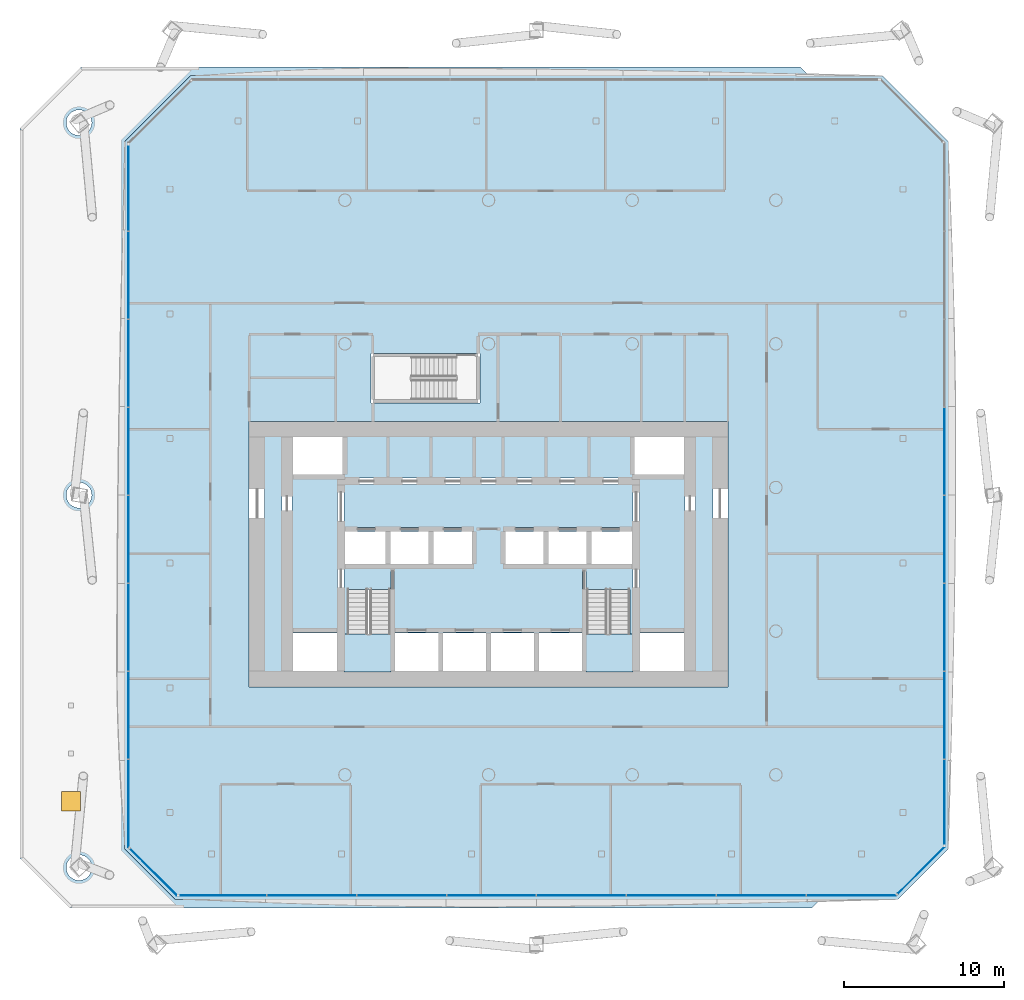
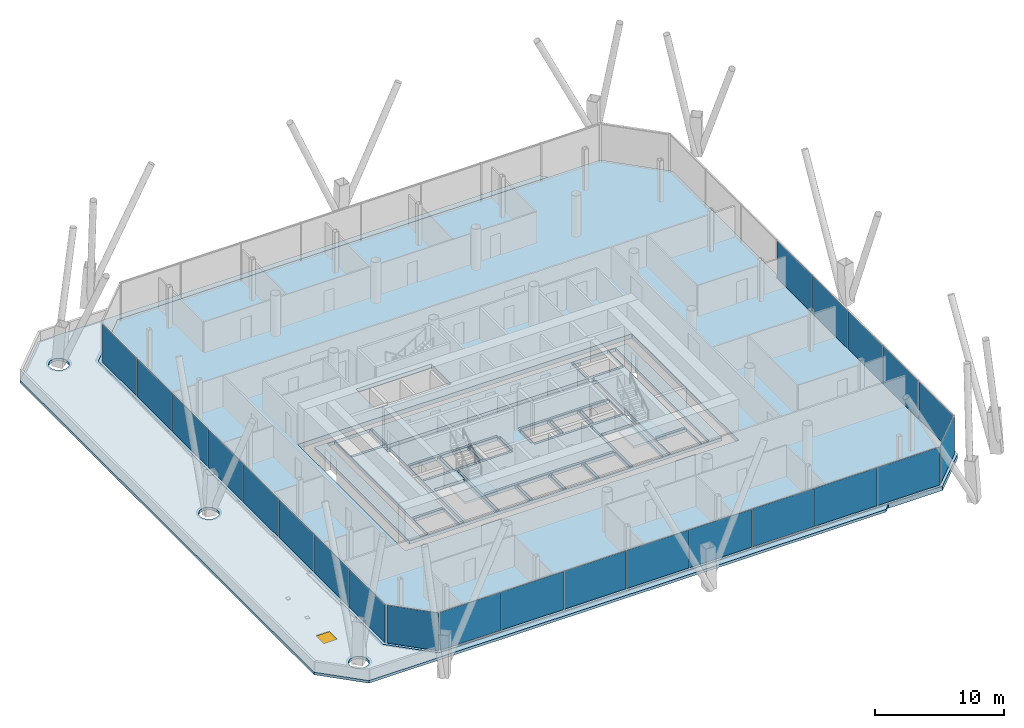
# One storey, part 12 of 23: 23 plates, 5 slabs, 1 window, 1 opening, 7 elements without a shape of their own.
"""IFC4 building model written with IfcOpenShell, lengths in metres."""

import ifcopenshell
import ifcopenshell.guid

model = None  # the IFC model being written
_history = None  # IfcOwnerHistory: only IFC2X3 demands one
_inside = {}  # id of a spatial element -> (the spatial element, [elements in it])
_under = {}  # id of a project, library or spatial element -> (it, [spatial elements below it])
_declared = {}  # id of a project -> (the project, [libraries it declares])
_typed = {}  # id of a type object -> (the type object, [elements of that type])
_made_of = {}  # id of a material, layer set ... -> (it, [elements and type objects made of it])


def new_model(schema):
    """Start an empty IFC model of exactly this schema.

    Asked for "IFC4X3", IfcOpenShell would pick the latest addendum, in which some entities
    have other attributes; the version numbers below select the first issue.
    IFC2X3 requires an IfcOwnerHistory on every rooted entity: one is made here for all.
    """
    global model, _history
    if schema == "IFC4X3":
        model = ifcopenshell.file(schema_version=(4, 3, 0, 0))
    else:
        model = ifcopenshell.file(schema=schema)
    _inside.clear()
    _under.clear()
    _declared.clear()
    _typed.clear()
    _made_of.clear()
    _history = None
    if model.schema == "IFC2X3":
        org = make("IfcOrganization", Name="unknown")
        user = make(
            "IfcPersonAndOrganization",
            ThePerson=make("IfcPerson", FamilyName="unknown"),
            TheOrganization=org,
        )
        app = make(
            "IfcApplication",
            ApplicationDeveloper=org,
            Version="unknown",
            ApplicationFullName="unknown",
            ApplicationIdentifier="unknown",
        )
        _history = make(
            "IfcOwnerHistory",
            OwningUser=user,
            OwningApplication=app,
            ChangeAction="ADDED",
            CreationDate=0,
        )
    return model


def make(cls, **values):
    """One entity of the class cls with the attributes given. An attribute that is None is left unset."""
    return model.create_entity(
        cls, **{name: value for name, value in values.items() if value is not None}
    )


def rooted(cls, **values):
    """An entity with a GlobalId (a new one), such as an element, a storey or a relation."""
    return make(cls, GlobalId=ifcopenshell.guid.new(), OwnerHistory=_history, **values)


def si_unit(unit_type, name, prefix=None):
    """IfcSIUnit, for example si_unit("LENGTHUNIT", "METRE", prefix="MILLI")."""
    return make("IfcSIUnit", UnitType=unit_type, Prefix=prefix, Name=name)


def assignment(units):
    """IfcUnitAssignment: the units of a project."""
    return None if units is None else make("IfcUnitAssignment", Units=units)


def point(xyz):
    """IfcCartesianPoint."""
    return None if xyz is None else make("IfcCartesianPoint", Coordinates=xyz)


def direction(xyz):
    """IfcDirection."""
    return None if xyz is None else make("IfcDirection", DirectionRatios=xyz)


def frame(location, z_axis=None, x_axis=None):
    """IfcAxis2Placement3D, a coordinate frame: its origin and axes. An axis left out is left unset."""
    return make(
        "IfcAxis2Placement3D",
        Location=point(location),
        Axis=direction(z_axis),
        RefDirection=direction(x_axis),
    )


def frame_2d(location, x_axis=None):
    """IfcAxis2Placement2D, a coordinate frame in the plane: its origin and x axis."""
    return make(
        "IfcAxis2Placement2D", Location=point(location), RefDirection=direction(x_axis)
    )


def origin():
    """The frame at (0, 0, 0) with its axes left unset."""
    return frame((0.0, 0.0, 0.0))


def origin_2d():
    """The frame at (0, 0) in the plane with its x axis left unset."""
    return frame_2d((0.0, 0.0))


def place(relative_to, where):
    """IfcLocalPlacement: puts the frame where relative to a parent placement (None: the world)."""
    return make(
        "IfcLocalPlacement", PlacementRelTo=relative_to, RelativePlacement=where
    )


def context(
    kind, dimensions, precision=None, world=None, true_north=None, identifier=None
):
    """IfcGeometricRepresentationContext, for example the 3D "Model" context."""
    return make(
        "IfcGeometricRepresentationContext",
        ContextIdentifier=identifier,
        ContextType=kind,
        CoordinateSpaceDimension=dimensions,
        Precision=precision,
        WorldCoordinateSystem=world,
        TrueNorth=true_north,
    )


def subcontext(parent, identifier, kind, view, scale=None):
    """IfcGeometricRepresentationSubContext, for example "Body" below "Model"."""
    return make(
        "IfcGeometricRepresentationSubContext",
        ContextIdentifier=identifier,
        ContextType=kind,
        ParentContext=parent,
        TargetScale=scale,
        TargetView=view,
    )


def project(units=None, contexts=None):
    """IfcProject with its units and contexts."""
    return rooted(
        "IfcProject",
        Name="project",
        RepresentationContexts=contexts,
        UnitsInContext=assignment(units),
    )


def spatial(cls, under=None, at=None, **own):
    """A site, building, storey or space (cls), placed at a placement, below another one or the project."""
    s = rooted(cls, ObjectPlacement=at, **own)
    if under is not None:
        _under.setdefault(under.id(), (under, []))[1].append(s)
    return s


def polyline(points):
    """IfcPolyline through the points."""
    return make("IfcPolyline", Points=[point(p) for p in points])


def profile(cls, at=None, kind="AREA", **sizes):
    """A parametric profile (cls). Its sizes go by their IFC names, for example OverallWidth=200.0."""
    return make(cls, ProfileType=kind, Position=at, **sizes)


def rectangle(**sizes):
    """IfcRectangleProfileDef."""
    return profile("IfcRectangleProfileDef", **sizes)


def outline(outer, holes=None, kind="AREA"):
    """IfcArbitraryClosedProfileDef: a profile drawn as a closed curve; with holes, ...WithVoids."""
    if holes is None:
        return make("IfcArbitraryClosedProfileDef", ProfileType=kind, OuterCurve=outer)
    return make(
        "IfcArbitraryProfileDefWithVoids",
        ProfileType=kind,
        OuterCurve=outer,
        InnerCurves=holes,
    )


def extrude(swept, where, along, depth):
    """IfcExtrudedAreaSolid: the profile swept, set in the frame where, extruded along a direction by depth."""
    return make(
        "IfcExtrudedAreaSolid",
        SweptArea=swept,
        Position=where,
        ExtrudedDirection=direction(along),
        Depth=depth,
    )


def shape(context_of_items, identifier, shape_type, items):
    """IfcShapeRepresentation: the items that make up one representation, for example the "Body"."""
    return make(
        "IfcShapeRepresentation",
        ContextOfItems=context_of_items,
        RepresentationIdentifier=identifier,
        RepresentationType=shape_type,
        Items=items,
    )


def material(Name=None, Category=None):
    """IfcMaterial."""
    return make("IfcMaterial", Name=Name, Category=Category)


def layer(
    of_material, thickness, ventilated=None, Name=None, Category=None, Priority=None
):
    """IfcMaterialLayer: one layer of a wall or slab, of a material (None: an air gap)."""
    return make(
        "IfcMaterialLayer",
        Material=of_material,
        LayerThickness=thickness,
        IsVentilated=ventilated,
        Name=Name,
        Category=Category,
        Priority=Priority,
    )


def layer_set(layers, Name=None):
    """IfcMaterialLayerSet."""
    return make("IfcMaterialLayerSet", MaterialLayers=layers, LayerSetName=Name)


def made_of(thing, what):
    """Note that an element or type object is made of a material, layer set ...; save() writes the relation."""
    if what is not None:
        _made_of.setdefault(what.id(), (what, []))[1].append(thing)
    return thing


def type_object(cls, material=None, **own):
    """A type object (cls), such as IfcWallType, which elements share."""
    return made_of(rooted(cls, **own), material)


def element(
    cls,
    number,
    at=None,
    inside=None,
    cuts=None,
    type_object=None,
    material=None,
    context=None,
    identifier="Body",
    shape_type=None,
    held_by="IfcProductDefinitionShape",
    body=None,
    shapes=None,
    **own,
):
    """One element of the class cls, such as IfcWall. Its Tag is "e" and its number.

    at: its placement. inside: the storey or other place that contains it. cuts: it is an
    opening in that element (IfcRelVoidsElement). A single representation is given by context,
    identifier, shape_type and body (its items); several are given by shapes. held_by: the class
    of the entity that holds the representations. save() writes the other relations.
    """
    e = rooted(cls, Tag="e%d" % number, ObjectPlacement=at, **own)
    if body is not None:
        shapes = [shape(context, identifier, shape_type, body)]
    if shapes is not None:
        e.Representation = make(held_by, Representations=shapes)
    if inside is not None:
        _inside.setdefault(inside.id(), (inside, []))[1].append(e)
    if cuts is not None:
        rooted(
            "IfcRelVoidsElement", RelatingBuildingElement=cuts, RelatedOpeningElement=e
        )
    if type_object is not None:
        _typed.setdefault(type_object.id(), (type_object, []))[1].append(e)
    return made_of(e, material)


def fill(opening, filler):
    """IfcRelFillsElement: the door or window that sits in an opening."""
    return rooted(
        "IfcRelFillsElement",
        RelatingOpeningElement=opening,
        RelatedBuildingElement=filler,
    )


def aggregate(whole, parts):
    """IfcRelAggregates: a whole, such as a stair, and the parts it consists of."""
    return rooted("IfcRelAggregates", RelatingObject=whole, RelatedObjects=parts)


def save(model, path):
    """Write the relations noted so far, then the file.

    IfcRelAggregates (storeys below a building ...), IfcRelContainedInSpatialStructure (elements
    in a storey), IfcRelDefinesByType, IfcRelAssociatesMaterial and IfcRelDeclares: one each for
    every whole, place, type object, material and project.
    """
    for whole, parts in _under.values():
        aggregate(whole, parts)
    for where, things in _inside.values():
        rooted(
            "IfcRelContainedInSpatialStructure",
            RelatedElements=things,
            RelatingStructure=where,
        )
    for kind, things in _typed.values():
        rooted("IfcRelDefinesByType", RelatedObjects=things, RelatingType=kind)
    for what, things in _made_of.values():
        rooted("IfcRelAssociatesMaterial", RelatedObjects=things, RelatingMaterial=what)
    for by, libraries in _declared.values():
        rooted("IfcRelDeclares", RelatingContext=by, RelatedDefinitions=libraries)
    model.write(path)


model = new_model("IFC4")

# Units and contexts
model_context = context("Model", 3, precision=1e-05, world=origin(), true_north=direction((0.0, 1.0)))
body_context = subcontext(model_context, "Body", "Model", "MODEL_VIEW")
ifc_project = project(units=[si_unit("LENGTHUNIT", "METRE"), si_unit("AREAUNIT", "SQUARE_METRE"), si_unit("VOLUMEUNIT", "CUBIC_METRE"), si_unit("PLANEANGLEUNIT", "RADIAN"), si_unit("MASSUNIT", "GRAM", prefix="KILO")], contexts=[model_context])

# Site, building, storey
site_placement = place(None, origin())
site = spatial("IfcSite", under=ifc_project, at=site_placement, CompositionType="ELEMENT")
building_placement = place(site_placement, origin())
building = spatial("IfcBuilding", under=site, at=building_placement, Name="Tskaro Facet Tower", CompositionType="ELEMENT")
storey_placement = place(building_placement, frame((0.0, 0.0, 62.10009765625)))
storey = spatial("IfcBuildingStorey", under=building, at=storey_placement, Name="L14", CompositionType="ELEMENT", Elevation=62.10009765625)

# Curtain wall, plates
ifc_material_1 = material(Name="Bronze anodised aluminium 6063-T6", Category="aluminium")
curtain_wall_type = type_object("IfcCurtainWallType", Name="Bronze office curtain wall (FW1)", PredefinedType="NOTDEFINED", material=ifc_material_1)
curtain_wall_1_placement = place(storey_placement, origin())
curtain_wall_1 = element("IfcCurtainWall", 1, at=curtain_wall_1_placement, inside=storey, type_object=curtain_wall_type, Name="FW1 south facet L14", PredefinedType="NOTDEFINED")
ifc_material_2 = material(Name="Bronze tinted glass", Category="glass")
ifc_layer_1 = layer(ifc_material_2, 0.031982421875, Name="Bronze tinted glass")
ifc_layer_set_1 = layer_set([ifc_layer_1], Name="Bronze tinted glass")
plate_type = type_object("IfcPlateType", Name="FW1 bronze-tinted unit glazing 32", PredefinedType="CURTAIN_PANEL", material=ifc_layer_set_1)
plate_1_placement = place(storey_placement, frame((-16.649658203125, -25.55908203125, -0.000244140625), z_axis=(0.0, 0.0, 1.0), x_axis=(1.0, 0.0, 0.0)))
plate_1 = element("IfcPlate", 2, at=plate_1_placement, type_object=plate_type, Name="FW1 south glazing 1.1", PredefinedType="CURTAIN_PANEL", context=body_context, shape_type="SweptSolid", body=[
    extrude(rectangle(XDim=5.44287109375, YDim=0.031982421875, at=origin_2d()), origin(), (0.0, 0.0, 1.0), 3.60009765625),
])
plate_2_placement = place(storey_placement, frame((-11.081787109375, -25.55908203125, -0.000244140625), z_axis=(0.0, 0.0, 1.0), x_axis=(1.0, 0.0, 0.0)))
plate_2 = element("IfcPlate", 3, at=plate_2_placement, type_object=plate_type, Name="FW1 south glazing 2.1", PredefinedType="CURTAIN_PANEL", context=body_context, shape_type="SweptSolid", body=[
    extrude(rectangle(XDim=5.57275390625, YDim=0.031982421875, at=origin_2d()), origin(), (0.0, 0.0, 1.0), 3.60009765625),
])
plate_3_placement = place(storey_placement, frame((-5.44921875, -25.55908203125, -0.000244140625), z_axis=(0.0, 0.0, 1.0), x_axis=(1.0, 0.0, 0.0)))
plate_3 = element("IfcPlate", 4, at=plate_3_placement, type_object=plate_type, Name="FW1 south glazing 3.1", PredefinedType="CURTAIN_PANEL", context=body_context, shape_type="SweptSolid", body=[
    extrude(rectangle(XDim=5.57275390625, YDim=0.031982421875, at=origin_2d()), origin(), (0.0, 0.0, 1.0), 3.60009765625),
])
plate_4_placement = place(storey_placement, frame((0.18359375, -25.55908203125, -0.000244140625), z_axis=(0.0, 0.0, 1.0), x_axis=(1.0, 0.0, 0.0)))
plate_4 = element("IfcPlate", 5, at=plate_4_placement, type_object=plate_type, Name="FW1 south glazing 4.1", PredefinedType="CURTAIN_PANEL", context=body_context, shape_type="SweptSolid", body=[
    extrude(rectangle(XDim=5.57275390625, YDim=0.031982421875, at=origin_2d()), origin(), (0.0, 0.0, 1.0), 3.60009765625),
])
plate_5_placement = place(storey_placement, frame((5.81640625, -25.55908203125, -0.000244140625), z_axis=(0.0, 0.0, 1.0), x_axis=(1.0, 0.0, 0.0)))
plate_5 = element("IfcPlate", 6, at=plate_5_placement, type_object=plate_type, Name="FW1 south glazing 5.1", PredefinedType="CURTAIN_PANEL", context=body_context, shape_type="SweptSolid", body=[
    extrude(rectangle(XDim=5.57275390625, YDim=0.031982421875, at=origin_2d()), origin(), (0.0, 0.0, 1.0), 3.60009765625),
])
plate_6_placement = place(storey_placement, frame((11.44921875, -25.55908203125, -0.000244140625), z_axis=(0.0, 0.0, 1.0), x_axis=(1.0, 0.0, 0.0)))
plate_6 = element("IfcPlate", 7, at=plate_6_placement, type_object=plate_type, Name="FW1 south glazing 6.1", PredefinedType="CURTAIN_PANEL", context=body_context, shape_type="SweptSolid", body=[
    extrude(rectangle(XDim=5.57275390625, YDim=0.031982421875, at=origin_2d()), origin(), (0.0, 0.0, 1.0), 3.60009765625),
])
plate_7_placement = place(storey_placement, frame((17.081787109375, -25.55908203125, -0.000244140625), z_axis=(0.0, 0.0, 1.0), x_axis=(1.0, 0.0, 0.0)))
plate_7 = element("IfcPlate", 8, at=plate_7_placement, type_object=plate_type, Name="FW1 south glazing 7.1", PredefinedType="CURTAIN_PANEL", context=body_context, shape_type="SweptSolid", body=[
    extrude(rectangle(XDim=5.57275390625, YDim=0.031982421875, at=origin_2d()), origin(), (0.0, 0.0, 1.0), 3.60009765625),
])
plate_8_placement = place(storey_placement, frame((22.729736328125, -25.55908203125, -0.000244140625), z_axis=(0.0, 0.0, 1.0), x_axis=(1.0, 0.0, 0.0)))
plate_8 = element("IfcPlate", 9, at=plate_8_placement, type_object=plate_type, Name="FW1 south glazing 8.1", PredefinedType="CURTAIN_PANEL", context=body_context, shape_type="SweptSolid", body=[
    extrude(rectangle(XDim=5.602783203125, YDim=0.031982421875, at=origin_2d()), origin(), (0.0, 0.0, 1.0), 3.60009765625),
])
aggregate(curtain_wall_1, [plate_1, plate_2, plate_3, plate_4, plate_5, plate_6, plate_7, plate_8])

# Curtain wall, plate
curtain_wall_2_placement = place(storey_placement, origin())
curtain_wall_2 = element("IfcCurtainWall", 10, at=curtain_wall_2_placement, inside=storey, type_object=curtain_wall_type, Name="FW1 south-east facet L14", PredefinedType="NOTDEFINED")
plate_9_placement = place(storey_placement, frame((27.1015625, -23.988525390625, -0.000244140625), z_axis=(0.0, 0.0, 1.0), x_axis=(0.707106781187, 0.707106781187, 0.0)))
plate_9 = element("IfcPlate", 11, at=plate_9_placement, type_object=plate_type, Name="FW1 south-east glazing 1.1", PredefinedType="CURTAIN_PANEL", context=body_context, shape_type="SweptSolid", body=[
    extrude(rectangle(XDim=4.122314453125, YDim=0.031982421875, at=origin_2d()), origin(), (0.0, 0.0, 1.0), 3.60009765625),
])
aggregate(curtain_wall_2, [plate_9])

# Curtain wall, plates
curtain_wall_3_placement = place(storey_placement, origin())
curtain_wall_3 = element("IfcCurtainWall", 12, at=curtain_wall_3_placement, inside=storey, type_object=curtain_wall_type, Name="FW1 east facet L14", PredefinedType="NOTDEFINED")
plate_10_placement = place(storey_placement, frame((28.55908203125, -19.70947265625, -0.000244140625), z_axis=(0.0, 0.0, 1.0), x_axis=(0.0, 1.0, 0.0)))
plate_10 = element("IfcPlate", 13, at=plate_10_placement, type_object=plate_type, Name="FW1 east glazing 1.1", PredefinedType="CURTAIN_PANEL", context=body_context, shape_type="SweptSolid", body=[
    extrude(rectangle(XDim=5.3232421875, YDim=0.031982421875, at=origin_2d()), origin(), (0.0, 0.0, 1.0), 3.60009765625),
])
plate_11_placement = place(storey_placement, frame((28.55908203125, -14.26123046875, -0.000244140625), z_axis=(0.0, 0.0, 1.0), x_axis=(0.0, 1.0, 0.0)))
plate_11 = element("IfcPlate", 14, at=plate_11_placement, type_object=plate_type, Name="FW1 east glazing 2.1", PredefinedType="CURTAIN_PANEL", context=body_context, shape_type="SweptSolid", body=[
    extrude(rectangle(XDim=5.453125, YDim=0.031982421875, at=origin_2d()), origin(), (0.0, 0.0, 1.0), 3.60009765625),
])
plate_12_placement = place(storey_placement, frame((28.55908203125, -8.748291015625, -0.000244140625), z_axis=(0.0, 0.0, 1.0), x_axis=(0.0, 1.0, 0.0)))
plate_12 = element("IfcPlate", 15, at=plate_12_placement, type_object=plate_type, Name="FW1 east glazing 3.1", PredefinedType="CURTAIN_PANEL", context=body_context, shape_type="SweptSolid", body=[
    extrude(rectangle(XDim=5.453125, YDim=0.031982421875, at=origin_2d()), origin(), (0.0, 0.0, 1.0), 3.60009765625),
])
plate_13_placement = place(storey_placement, frame((28.55908203125, -3.235107421875, -0.000244140625), z_axis=(0.0, 0.0, 1.0), x_axis=(0.0, 1.0, 0.0)))
plate_13 = element("IfcPlate", 16, at=plate_13_placement, type_object=plate_type, Name="FW1 east glazing 4.1", PredefinedType="CURTAIN_PANEL", context=body_context, shape_type="SweptSolid", body=[
    extrude(rectangle(XDim=5.453125, YDim=0.031982421875, at=origin_2d()), origin(), (0.0, 0.0, 1.0), 3.60009765625),
])
plate_14_placement = place(storey_placement, frame((28.55908203125, 2.278076171875, -0.000244140625), z_axis=(0.0, 0.0, 1.0), x_axis=(0.0, 1.0, 0.0)))
plate_14 = element("IfcPlate", 17, at=plate_14_placement, type_object=plate_type, Name="FW1 east glazing 5.1", PredefinedType="CURTAIN_PANEL", context=body_context, shape_type="SweptSolid", body=[
    extrude(rectangle(XDim=5.453125, YDim=0.031982421875, at=origin_2d()), origin(), (0.0, 0.0, 1.0), 3.60009765625),
])
aggregate(curtain_wall_3, [plate_10, plate_11, plate_12, plate_13, plate_14])

curtain_wall_4_placement = place(storey_placement, origin())
curtain_wall_4 = element("IfcCurtainWall", 18, at=curtain_wall_4_placement, inside=storey, type_object=curtain_wall_type, Name="FW1 west facet L14", PredefinedType="NOTDEFINED")
plate_15_placement = place(storey_placement, frame((-22.55908203125, 18.75244140625, -0.000244140625), z_axis=(0.0, 0.0, 1.0), x_axis=(0.0, -1.0, 0.0)))
plate_15 = element("IfcPlate", 19, at=plate_15_placement, type_object=plate_type, Name="FW1 west glazing 1.1", PredefinedType="CURTAIN_PANEL", context=body_context, shape_type="SweptSolid", body=[
    extrude(rectangle(XDim=5.3232421875, YDim=0.031982421875, at=origin_2d()), origin(), (0.0, 0.0, 1.0), 3.60009765625),
])
plate_16_placement = place(storey_placement, frame((-22.55908203125, 13.30419921875, -0.000244140625), z_axis=(0.0, 0.0, 1.0), x_axis=(0.0, -1.0, 0.0)))
plate_16 = element("IfcPlate", 20, at=plate_16_placement, type_object=plate_type, Name="FW1 west glazing 2.1", PredefinedType="CURTAIN_PANEL", context=body_context, shape_type="SweptSolid", body=[
    extrude(rectangle(XDim=5.453125, YDim=0.031982421875, at=origin_2d()), origin(), (0.0, 0.0, 1.0), 3.60009765625),
])
plate_17_placement = place(storey_placement, frame((-22.55908203125, 7.791259765625, -0.000244140625), z_axis=(0.0, 0.0, 1.0), x_axis=(0.0, -1.0, 0.0)))
plate_17 = element("IfcPlate", 21, at=plate_17_placement, type_object=plate_type, Name="FW1 west glazing 3.1", PredefinedType="CURTAIN_PANEL", context=body_context, shape_type="SweptSolid", body=[
    extrude(rectangle(XDim=5.453125, YDim=0.031982421875, at=origin_2d()), origin(), (0.0, 0.0, 1.0), 3.60009765625),
])
plate_18_placement = place(storey_placement, frame((-22.55908203125, 2.278076171875, -0.000244140625), z_axis=(0.0, 0.0, 1.0), x_axis=(0.0, -1.0, 0.0)))
plate_18 = element("IfcPlate", 22, at=plate_18_placement, type_object=plate_type, Name="FW1 west glazing 4.1", PredefinedType="CURTAIN_PANEL", context=body_context, shape_type="SweptSolid", body=[
    extrude(rectangle(XDim=5.453125, YDim=0.031982421875, at=origin_2d()), origin(), (0.0, 0.0, 1.0), 3.60009765625),
])
plate_19_placement = place(storey_placement, frame((-22.55908203125, -3.235107421875, -0.000244140625), z_axis=(0.0, 0.0, 1.0), x_axis=(0.0, -1.0, 0.0)))
plate_19 = element("IfcPlate", 23, at=plate_19_placement, type_object=plate_type, Name="FW1 west glazing 5.1", PredefinedType="CURTAIN_PANEL", context=body_context, shape_type="SweptSolid", body=[
    extrude(rectangle(XDim=5.453125, YDim=0.031982421875, at=origin_2d()), origin(), (0.0, 0.0, 1.0), 3.60009765625),
])
plate_20_placement = place(storey_placement, frame((-22.55908203125, -8.748291015625, -0.000244140625), z_axis=(0.0, 0.0, 1.0), x_axis=(0.0, -1.0, 0.0)))
plate_20 = element("IfcPlate", 24, at=plate_20_placement, type_object=plate_type, Name="FW1 west glazing 6.1", PredefinedType="CURTAIN_PANEL", context=body_context, shape_type="SweptSolid", body=[
    extrude(rectangle(XDim=5.453125, YDim=0.031982421875, at=origin_2d()), origin(), (0.0, 0.0, 1.0), 3.60009765625),
])
plate_21_placement = place(storey_placement, frame((-22.55908203125, -14.26123046875, -0.000244140625), z_axis=(0.0, 0.0, 1.0), x_axis=(0.0, -1.0, 0.0)))
plate_21 = element("IfcPlate", 25, at=plate_21_placement, type_object=plate_type, Name="FW1 west glazing 7.1", PredefinedType="CURTAIN_PANEL", context=body_context, shape_type="SweptSolid", body=[
    extrude(rectangle(XDim=5.453125, YDim=0.031982421875, at=origin_2d()), origin(), (0.0, 0.0, 1.0), 3.60009765625),
])
plate_22_placement = place(storey_placement, frame((-22.55908203125, -19.78955078125, -0.000244140625), z_axis=(0.0, 0.0, 1.0), x_axis=(0.0, -1.0, 0.0)))
plate_22 = element("IfcPlate", 26, at=plate_22_placement, type_object=plate_type, Name="FW1 west glazing 8.1", PredefinedType="CURTAIN_PANEL", context=body_context, shape_type="SweptSolid", body=[
    extrude(rectangle(XDim=5.483154296875, YDim=0.031982421875, at=origin_2d()), origin(), (0.0, 0.0, 1.0), 3.60009765625),
])
aggregate(curtain_wall_4, [plate_15, plate_16, plate_17, plate_18, plate_19, plate_20, plate_21, plate_22])

# Curtain wall, plate
curtain_wall_5_placement = place(storey_placement, origin())
curtain_wall_5 = element("IfcCurtainWall", 27, at=curtain_wall_5_placement, inside=storey, type_object=curtain_wall_type, Name="FW1 south-west facet L14", PredefinedType="NOTDEFINED")
plate_23_placement = place(storey_placement, frame((-20.988525390625, -24.1015625, -0.000244140625), z_axis=(0.0, 0.0, 1.0), x_axis=(0.707106781187, -0.707106781187, 0.0)))
plate_23 = element("IfcPlate", 28, at=plate_23_placement, type_object=plate_type, Name="FW1 south-west glazing 1.1", PredefinedType="CURTAIN_PANEL", context=body_context, shape_type="SweptSolid", body=[
    extrude(rectangle(XDim=4.122314453125, YDim=0.031982421875, at=origin_2d()), origin(), (0.0, 0.0, 1.0), 3.60009765625),
])
aggregate(curtain_wall_5, [plate_23])

# Stair, slab
ifc_material_3 = material(Name="Concrete C40/50", Category="concrete")
stair_type = type_object("IfcStairType", Name="ST-TWR", PredefinedType="HALF_TURN_STAIR", material=ifc_material_3)
stair_1_placement = place(storey_placement, origin())
stair_1 = element("IfcStair", 29, at=stair_1_placement, inside=storey, type_object=stair_type, Name="L14 Exit stair 1", PredefinedType="HALF_TURN_STAIR")
ifc_layer_2 = layer(ifc_material_3, 0.199951171875, Name="Concrete C40/50")
ifc_layer_set_2 = layer_set([ifc_layer_2], Name="Concrete C40/50")
slab_type_1 = type_object("IfcSlabType", Name="SL-LANDING", PredefinedType="LANDING", material=ifc_layer_set_2)
slab_1_placement = place(storey_placement, frame((0.0, 0.0, 1.75)))
slab_1 = element("IfcSlab", 30, at=slab_1_placement, type_object=slab_type_1, Name="ST-1 landing 1", PredefinedType="LANDING", context=body_context, shape_type="SweptSolid", body=[
    extrude(outline(polyline([(-9.050048828125, -11.550048828125), (-6.10009765625, -11.550048828125), (-6.10009765625, -9.175048828125), (-9.050048828125, -9.175048828125), (-9.050048828125, -11.550048828125)])), origin(), (0.0, 0.0, 1.0), 0.199951171875),
])
aggregate(stair_1, [slab_1])

stair_2_placement = place(storey_placement, origin())
stair_2 = element("IfcStair", 31, at=stair_2_placement, inside=storey, type_object=stair_type, Name="L14 Exit stair 2", PredefinedType="HALF_TURN_STAIR")
slab_2_placement = place(storey_placement, frame((0.0, 0.0, 1.75)))
slab_2 = element("IfcSlab", 32, at=slab_2_placement, type_object=slab_type_1, Name="ST-2 landing 1", PredefinedType="LANDING", context=body_context, shape_type="SweptSolid", body=[
    extrude(outline(polyline([(6.10009765625, -11.550048828125), (9.050048828125, -11.550048828125), (9.050048828125, -9.175048828125), (6.10009765625, -9.175048828125), (6.10009765625, -11.550048828125)])), origin(), (0.0, 0.0, 1.0), 0.199951171875),
])
aggregate(stair_2, [slab_2])

# Slabs
ifc_material_4 = material(Name="Concrete C60/75", Category="concrete")
ifc_layer_3 = layer(ifc_material_4, 0.300048828125, Name="Concrete C60/75")
ifc_layer_set_3 = layer_set([ifc_layer_3], Name="Concrete C60/75")
slab_type_2 = type_object("IfcSlabType", Name="SLAB-CORE", PredefinedType="FLOOR", material=ifc_layer_set_3)
slab_3_placement = place(storey_placement, frame((0.0, 0.0, -0.300048828125)))
element("IfcSlab", 33, at=slab_3_placement, inside=storey, type_object=slab_type_2, Name="Core floor slab 1", PredefinedType="FLOOR", context=body_context, shape_type="SweptSolid", body=[
    extrude(outline(polyline([(-14.050048828125, 3.199951171875), (14.050048828125, 3.199951171875), (14.050048828125, 3.10009765625), (14.050048828125, -11.449951171875), (14.050048828125, -11.550048828125), (-14.050048828125, -11.550048828125), (-14.050048828125, -11.449951171875), (-14.050048828125, 3.10009765625), (-14.050048828125, 3.199951171875)]), holes=[polyline([(-9.5, -9.10009765625), (-12.25, -9.10009765625), (-12.25, -11.5), (-9.5, -11.5), (-9.5, -9.10009765625)]), polyline([(-3.14990234375, -9.10009765625), (-5.85009765625, -9.10009765625), (-5.85009765625, -11.5), (-3.14990234375, -11.5), (-3.14990234375, -9.10009765625)]), polyline([(-12.199951171875, -8.85009765625), (-12.199951171875, -9.050048828125), (-9.550048828125, -9.050048828125), (-9.550048828125, -8.85009765625), (-12.199951171875, -8.85009765625)]), polyline([(-6.10009765625, -11.449951171875), (-5.89990234375, -11.449951171875), (-5.89990234375, -5.14990234375), (-6.10009765625, -5.14990234375), (-6.10009765625, -11.449951171875)]), polyline([(-9.449951171875, 0.10009765625), (-9.449951171875, -11.449951171875), (-9.050048828125, -11.449951171875), (-9.050048828125, 0.10009765625), (-9.449951171875, 0.10009765625)]), polyline([(-8.949951171875, -4.85009765625), (-8.949951171875, -5.050048828125), (-0.949951171875, -5.050048828125), (-0.949951171875, -4.85009765625), (-8.949951171875, -4.85009765625)]), polyline([(-12.949951171875, -11.449951171875), (-12.300048828125, -11.449951171875), (-12.300048828125, 3.10009765625), (-12.949951171875, 3.10009765625), (-12.949951171875, -11.449951171875)]), polyline([(-6.449951171875, -4.800048828125), (-6.449951171875, -2.75), (-9.0, -2.75), (-9.0, -4.800048828125), (-6.449951171875, -4.800048828125)]), polyline([(-3.75, -2.75), (-6.14990234375, -2.75), (-6.14990234375, -4.800048828125), (-3.75, -4.800048828125), (-3.75, -2.75)]), polyline([(-6.39990234375, -2.800048828125), (-6.39990234375, -4.75), (-6.199951171875, -4.75), (-6.199951171875, -2.800048828125), (-6.39990234375, -2.800048828125)]), polyline([(-8.949951171875, -2.5), (-8.949951171875, -2.699951171875), (-0.949951171875, -2.699951171875), (-0.949951171875, -2.5), (-8.949951171875, -2.5)]), polyline([(9.449951171875, 0.550048828125), (12.199951171875, 0.550048828125), (12.199951171875, 0.75), (9.050048828125, 0.75), (9.050048828125, 0.60009765625), (-9.050048828125, 0.60009765625), (-9.050048828125, 0.75), (-12.199951171875, 0.75), (-12.199951171875, 0.550048828125), (-9.449951171875, 0.550048828125), (-9.449951171875, 0.199951171875), (9.449951171875, 0.199951171875), (9.449951171875, 0.550048828125)]), polyline([(-9.10009765625, 3.10009765625), (-9.10009765625, 0.85009765625), (-8.89990234375, 0.85009765625), (-8.89990234375, 3.10009765625), (-9.10009765625, 3.10009765625)]), polyline([(-9.14990234375, 0.800048828125), (-9.14990234375, 3.14990234375), (-12.25, 3.14990234375), (-12.25, 0.800048828125), (-9.14990234375, 0.800048828125)]), polyline([(2.89990234375, -11.449951171875), (3.10009765625, -11.449951171875), (3.10009765625, -9.14990234375), (2.89990234375, -9.14990234375), (2.89990234375, -11.449951171875)]), polyline([(-3.10009765625, -9.14990234375), (-3.10009765625, -11.449951171875), (-2.89990234375, -11.449951171875), (-2.89990234375, -9.14990234375), (-3.10009765625, -9.14990234375)]), polyline([(2.85009765625, -9.10009765625), (0.14990234375, -9.10009765625), (0.14990234375, -11.5), (2.85009765625, -11.5), (2.85009765625, -9.10009765625)]), polyline([(-0.14990234375, -9.10009765625), (-2.85009765625, -9.10009765625), (-2.85009765625, -11.5), (-0.14990234375, -11.5), (-0.14990234375, -9.10009765625)]), polyline([(-0.10009765625, -9.14990234375), (-0.10009765625, -11.449951171875), (0.10009765625, -11.449951171875), (0.10009765625, -9.14990234375), (-0.10009765625, -9.14990234375)]), polyline([(-5.800048828125, -8.85009765625), (-5.800048828125, -9.050048828125), (5.800048828125, -9.050048828125), (5.800048828125, -8.85009765625), (-5.800048828125, -8.85009765625)]), polyline([(-1.0, -2.800048828125), (-1.0, -4.75), (-0.800048828125, -4.75), (-0.800048828125, -2.800048828125), (-1.0, -2.800048828125)]), polyline([(0.800048828125, -4.75), (1.0, -4.75), (1.0, -2.800048828125), (0.800048828125, -2.800048828125), (0.800048828125, -4.75)]), polyline([(-1.050048828125, -4.800048828125), (-1.050048828125, -2.75), (-3.449951171875, -2.75), (-3.449951171875, -4.800048828125), (-1.050048828125, -4.800048828125)]), polyline([(1.050048828125, -2.75), (1.050048828125, -4.800048828125), (3.449951171875, -4.800048828125), (3.449951171875, -2.75), (1.050048828125, -2.75)]), polyline([(-3.699951171875, -4.75), (-3.5, -4.75), (-3.5, -2.800048828125), (-3.699951171875, -2.800048828125), (-3.699951171875, -4.75)]), polyline([(3.14990234375, -9.10009765625), (3.14990234375, -11.5), (5.85009765625, -11.5), (5.85009765625, -9.10009765625), (3.14990234375, -9.10009765625)]), polyline([(12.25, -11.5), (12.25, -9.10009765625), (9.5, -9.10009765625), (9.5, -11.5), (12.25, -11.5)]), polyline([(9.550048828125, -8.85009765625), (9.550048828125, -9.050048828125), (12.199951171875, -9.050048828125), (12.199951171875, -8.85009765625), (9.550048828125, -8.85009765625)]), polyline([(5.89990234375, -11.449951171875), (6.10009765625, -11.449951171875), (6.10009765625, -5.14990234375), (5.89990234375, -5.14990234375), (5.89990234375, -11.449951171875)]), polyline([(9.050048828125, 0.10009765625), (9.050048828125, -11.449951171875), (9.449951171875, -11.449951171875), (9.449951171875, 0.10009765625), (9.050048828125, 0.10009765625)]), polyline([(0.949951171875, -4.85009765625), (0.949951171875, -5.050048828125), (8.949951171875, -5.050048828125), (8.949951171875, -4.85009765625), (0.949951171875, -4.85009765625)]), polyline([(12.300048828125, -11.449951171875), (12.949951171875, -11.449951171875), (12.949951171875, 3.10009765625), (12.300048828125, 3.10009765625), (12.300048828125, -11.449951171875)]), polyline([(3.5, -2.800048828125), (3.5, -4.75), (3.699951171875, -4.75), (3.699951171875, -2.800048828125), (3.5, -2.800048828125)]), polyline([(6.14990234375, -2.75), (3.75, -2.75), (3.75, -4.800048828125), (6.14990234375, -4.800048828125), (6.14990234375, -2.75)]), polyline([(6.199951171875, -2.800048828125), (6.199951171875, -4.75), (6.39990234375, -4.75), (6.39990234375, -2.800048828125), (6.199951171875, -2.800048828125)]), polyline([(6.449951171875, -2.75), (6.449951171875, -4.800048828125), (9.0, -4.800048828125), (9.0, -2.75), (6.449951171875, -2.75)]), polyline([(0.949951171875, -2.5), (0.949951171875, -2.699951171875), (8.949951171875, -2.699951171875), (8.949951171875, -2.5), (0.949951171875, -2.5)]), polyline([(8.89990234375, 3.10009765625), (8.89990234375, 0.85009765625), (9.10009765625, 0.85009765625), (9.10009765625, 3.10009765625), (8.89990234375, 3.10009765625)]), polyline([(9.14990234375, 0.800048828125), (12.25, 0.800048828125), (12.25, 3.14990234375), (9.14990234375, 3.14990234375), (9.14990234375, 0.800048828125)]), polyline([(-8.85009765625, -11.5), (-6.14990234375, -11.5), (-6.14990234375, -6.39501953125), (-8.85009765625, -6.39501953125), (-8.85009765625, -11.5)]), polyline([(6.14990234375, -6.39501953125), (6.14990234375, -11.5), (8.85009765625, -11.5), (8.85009765625, -6.39501953125), (6.14990234375, -6.39501953125)])]), origin(), (0.0, 0.0, 1.0), 0.300048828125),
])
ifc_layer_4 = layer(ifc_material_3, 0.419921875, Name="Concrete C40/50")
ifc_layer_set_4 = layer_set([ifc_layer_4], Name="Concrete C40/50")
slab_type_3 = type_object("IfcSlabType", Name="Transfer floor slab", PredefinedType="FLOOR", material=ifc_layer_set_4)
slab_4_placement = place(storey_placement, frame((0.0, 0.0, -0.420166015625)))
element("IfcSlab", 34, at=slab_4_placement, inside=storey, type_object=slab_type_3, Name="Floor slab FS7 L14", PredefinedType="FLOOR", context=body_context, shape_type="SweptSolid", body=[
    extrude(outline(polyline([(-19.635009765625, -25.80908203125), (25.635009765625, -25.80908203125), (28.80908203125, -22.635009765625), (28.80908203125, 21.677978515625), (24.677978515625, 25.80908203125), (-18.677978515625, 25.80908203125), (-22.80908203125, 21.677978515625), (-22.80908203125, -22.635009765625), (-19.635009765625, -25.80908203125)]), holes=[polyline([(-15.0, -12.5), (15.0, -12.5), (15.0, 4.14990234375), (-15.0, 4.14990234375), (-15.0, -12.5)]), polyline([(-7.35009765625, 5.300048828125), (-0.550048828125, 5.300048828125), (-0.550048828125, 8.39990234375), (-7.35009765625, 8.39990234375), (-7.35009765625, 5.300048828125)])]), origin(), (0.0, 0.0, 1.0), 0.420166015625),
])

# Slab, opening, window
ifc_material_5 = material(Name="Concrete C35/45", Category="concrete")
ifc_layer_5 = layer(ifc_material_5, 0.25, Name="Concrete C35/45")
ifc_layer_set_5 = layer_set([ifc_layer_5], Name="Concrete C35/45")
slab_type_4 = type_object("IfcSlabType", Name="Transition roof slab", PredefinedType="ROOF", material=ifc_layer_set_5)
slab_5_placement = place(storey_placement, frame((0.0, 0.0, -0.25)))
slab_5 = element("IfcSlab", 35, at=slab_5_placement, inside=storey, type_object=slab_type_4, Name="Roof slab FS6 L13", PredefinedType="ROOF", context=body_context, shape_type="SweptSolid", body=[
    extrude(outline(polyline([(-26.22607421875, -26.35693359375), (-29.35693359375, -23.22607421875), (-29.35693359375, 22.509033203125), (-25.509033203125, 26.35693359375), (19.509033203125, 26.35693359375), (20.056884765625, 25.80908203125), (-18.677978515625, 25.80908203125), (-22.80908203125, 21.677978515625), (-22.80908203125, -22.635009765625), (-19.635009765625, -25.80908203125), (20.77392578125, -25.80908203125), (20.22607421875, -26.35693359375), (-26.22607421875, -26.35693359375)]), holes=[polyline([(-24.89306640625, -24.048095703125), (-24.8740234375, -23.971923828125), (-24.863037109375, -23.89404296875), (-24.85888671875, -23.81591796875), (-24.863037109375, -23.738037109375), (-24.8740234375, -23.659912109375), (-24.89306640625, -23.583984375), (-24.919921875, -23.510009765625), (-24.952880859375, -23.43896484375), (-24.993896484375, -23.3720703125), (-25.041015625, -23.30810546875), (-25.093017578125, -23.25), (-25.15087890625, -23.197998046875), (-25.215087890625, -23.15087890625), (-25.281982421875, -23.110107421875), (-25.35302734375, -23.076904296875), (-25.427001953125, -23.050048828125), (-25.5029296875, -23.031005859375), (-25.5810546875, -23.02001953125), (-25.658935546875, -23.01611328125), (-25.737060546875, -23.02001953125), (-25.81494140625, -23.031005859375), (-25.89111328125, -23.050048828125), (-25.965087890625, -23.076904296875), (-26.035888671875, -23.110107421875), (-26.10302734375, -23.15087890625), (-26.1669921875, -23.197998046875), (-26.22509765625, -23.25), (-26.277099609375, -23.30810546875), (-26.323974609375, -23.3720703125), (-26.364990234375, -23.43896484375), (-26.39794921875, -23.510009765625), (-26.425048828125, -23.583984375), (-26.444091796875, -23.659912109375), (-26.455078125, -23.738037109375), (-26.458984375, -23.81591796875), (-26.455078125, -23.89404296875), (-26.444091796875, -23.971923828125), (-26.425048828125, -24.048095703125), (-26.39794921875, -24.1220703125), (-26.364990234375, -24.193115234375), (-26.323974609375, -24.260009765625), (-26.277099609375, -24.323974609375), (-26.22509765625, -24.382080078125), (-26.1669921875, -24.43408203125), (-26.10302734375, -24.48095703125), (-26.035888671875, -24.52197265625), (-25.965087890625, -24.554931640625), (-25.89111328125, -24.58203125), (-25.81494140625, -24.60107421875), (-25.737060546875, -24.612060546875), (-25.658935546875, -24.615966796875), (-25.5810546875, -24.612060546875), (-25.5029296875, -24.60107421875), (-25.427001953125, -24.58203125), (-25.35302734375, -24.554931640625), (-25.281982421875, -24.52197265625), (-25.215087890625, -24.48095703125), (-25.15087890625, -24.43408203125), (-25.093017578125, -24.382080078125), (-25.041015625, -24.323974609375), (-24.993896484375, -24.260009765625), (-24.952880859375, -24.193115234375), (-24.919921875, -24.1220703125), (-24.89306640625, -24.048095703125)]), polyline([(-24.8740234375, -0.634033203125), (-24.863037109375, -0.555908203125), (-24.85888671875, -0.47802734375), (-24.863037109375, -0.39990234375), (-24.8740234375, -0.322021484375), (-24.89306640625, -0.24609375), (-24.919921875, -0.172119140625), (-24.952880859375, -0.10107421875), (-24.993896484375, -0.033935546875), (-25.041015625, 0.030029296875), (-25.093017578125, 0.087890625), (-25.15087890625, 0.139892578125), (-25.215087890625, 0.18701171875), (-25.281982421875, 0.22802734375), (-25.35302734375, 0.260986328125), (-25.427001953125, 0.2880859375), (-25.5029296875, 0.306884765625), (-25.5810546875, 0.318115234375), (-25.658935546875, 0.322021484375), (-25.737060546875, 0.318115234375), (-25.81494140625, 0.306884765625), (-25.89111328125, 0.2880859375), (-25.965087890625, 0.260986328125), (-26.035888671875, 0.22802734375), (-26.10302734375, 0.18701171875), (-26.1669921875, 0.139892578125), (-26.22509765625, 0.087890625), (-26.277099609375, 0.030029296875), (-26.323974609375, -0.033935546875), (-26.364990234375, -0.10107421875), (-26.39794921875, -0.172119140625), (-26.425048828125, -0.24609375), (-26.444091796875, -0.322021484375), (-26.455078125, -0.39990234375), (-26.458984375, -0.47802734375), (-26.455078125, -0.555908203125), (-26.444091796875, -0.634033203125), (-26.425048828125, -0.7099609375), (-26.39794921875, -0.783935546875), (-26.364990234375, -0.85498046875), (-26.323974609375, -0.922119140625), (-26.277099609375, -0.986083984375), (-26.22509765625, -1.0439453125), (-26.1669921875, -1.095947265625), (-26.10302734375, -1.14306640625), (-26.035888671875, -1.18408203125), (-25.965087890625, -1.217041015625), (-25.89111328125, -1.243896484375), (-25.81494140625, -1.262939453125), (-25.737060546875, -1.27392578125), (-25.658935546875, -1.278076171875), (-25.5810546875, -1.27392578125), (-25.5029296875, -1.262939453125), (-25.427001953125, -1.243896484375), (-25.35302734375, -1.217041015625), (-25.281982421875, -1.18408203125), (-25.215087890625, -1.14306640625), (-25.15087890625, -1.095947265625), (-25.093017578125, -1.0439453125), (-25.041015625, -0.986083984375), (-24.993896484375, -0.922119140625), (-24.952880859375, -0.85498046875), (-24.919921875, -0.783935546875), (-24.89306640625, -0.7099609375), (-24.8740234375, -0.634033203125)]), polyline([(-24.89306640625, 22.626953125), (-24.8740234375, 22.702880859375), (-24.863037109375, 22.781005859375), (-24.85888671875, 22.85888671875), (-24.863037109375, 22.93701171875), (-24.8740234375, 23.014892578125), (-24.89306640625, 23.091064453125), (-24.919921875, 23.1650390625), (-24.952880859375, 23.236083984375), (-24.993896484375, 23.302978515625), (-25.041015625, 23.366943359375), (-25.093017578125, 23.425048828125), (-25.15087890625, 23.47705078125), (-25.215087890625, 23.52392578125), (-25.281982421875, 23.56494140625), (-25.35302734375, 23.597900390625), (-25.427001953125, 23.625), (-25.5029296875, 23.64404296875), (-25.5810546875, 23.655029296875), (-25.658935546875, 23.658935546875), (-25.737060546875, 23.655029296875), (-25.81494140625, 23.64404296875), (-25.89111328125, 23.625), (-25.965087890625, 23.597900390625), (-26.035888671875, 23.56494140625), (-26.10302734375, 23.52392578125), (-26.1669921875, 23.47705078125), (-26.22509765625, 23.425048828125), (-26.277099609375, 23.366943359375), (-26.323974609375, 23.302978515625), (-26.364990234375, 23.236083984375), (-26.39794921875, 23.1650390625), (-26.425048828125, 23.091064453125), (-26.444091796875, 23.014892578125), (-26.455078125, 22.93701171875), (-26.458984375, 22.85888671875), (-26.455078125, 22.781005859375), (-26.444091796875, 22.702880859375), (-26.425048828125, 22.626953125), (-26.39794921875, 22.552978515625), (-26.364990234375, 22.48193359375), (-26.323974609375, 22.4150390625), (-26.277099609375, 22.35107421875), (-26.22509765625, 22.29296875), (-26.1669921875, 22.240966796875), (-26.10302734375, 22.194091796875), (-26.035888671875, 22.153076171875), (-25.965087890625, 22.1201171875), (-25.89111328125, 22.093017578125), (-25.81494140625, 22.073974609375), (-25.737060546875, 22.06298828125), (-25.658935546875, 22.05908203125), (-25.5810546875, 22.06298828125), (-25.5029296875, 22.073974609375), (-25.427001953125, 22.093017578125), (-25.35302734375, 22.1201171875), (-25.281982421875, 22.153076171875), (-25.215087890625, 22.194091796875), (-25.15087890625, 22.240966796875), (-25.093017578125, 22.29296875), (-25.041015625, 22.35107421875), (-24.993896484375, 22.4150390625), (-24.952880859375, 22.48193359375), (-24.919921875, 22.552978515625), (-24.89306640625, 22.626953125)])]), origin(), (0.0, 0.0, 1.0), 0.25),
])
opening_placement = place(slab_5_placement, frame((-26.156982421875, -19.656982421875, 0.0)))
opening = element("IfcOpeningElement", 36, at=opening_placement, cuts=slab_5, Name="Opening RH1", PredefinedType="OPENING", context=body_context, shape_type="SweptSolid", body=[
    extrude(rectangle(XDim=1.199951171875, YDim=1.199951171875, at=origin_2d()), frame((0.0, 0.0, -0.010009765625)), (0.0, 0.0, 1.0), 0.27001953125),
])
window_type = type_object("IfcWindowType", Name="Roof access hatch 1200x1200", PartitioningType="SINGLE_PANEL", PredefinedType="SKYLIGHT", material=ifc_material_1)
window_placement = place(opening_placement, frame((0.0, 0.0, 0.199951171875)))
window = element("IfcWindow", 37, at=window_placement, inside=storey, type_object=window_type, Name="Roof access hatch L14 1", OverallHeight=1.199951171875, OverallWidth=1.199951171875, PartitioningType="SINGLE_PANEL", PredefinedType="SKYLIGHT", context=body_context, shape_type="SweptSolid", body=[
    extrude(rectangle(XDim=1.199951171875, YDim=1.199951171875, at=origin_2d()), origin(), (0.0, 0.0, 1.0), 0.050048828125),
])
fill(opening, window)

save(model, "model.ifc")
